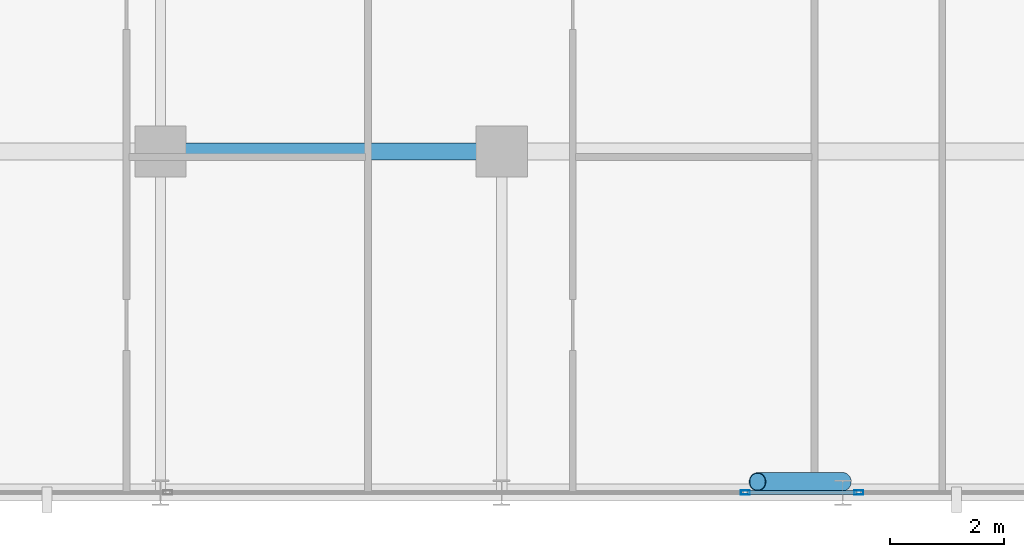
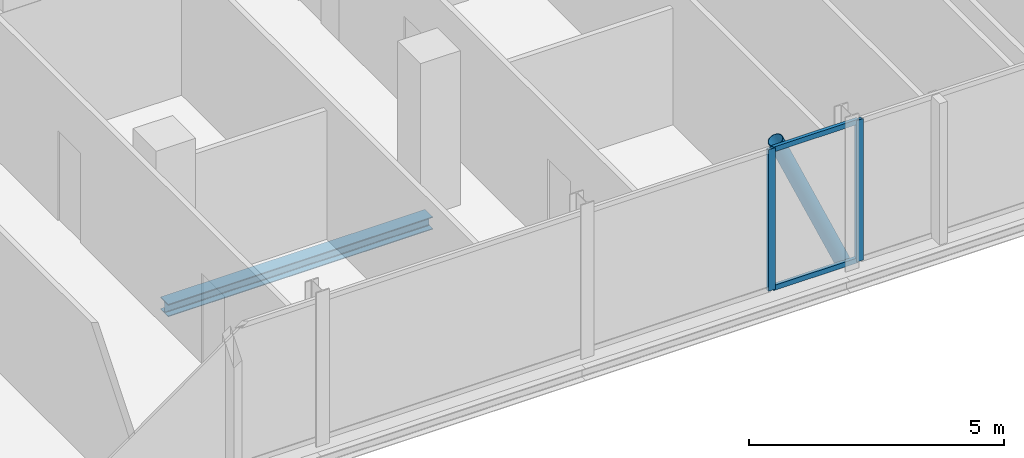
# One storey, part 10 of 29: 5 members, 1 beam, 2 elements without a shape of their own.
"""IFC4 building model written with IfcOpenShell, lengths in metres."""

from ifc_helpers import new_model, si_unit, direction, frame, origin, origin_2d, place, context, subcontext, project, spatial, hollow_rectangle, hollow_circle, i_section, extrude, material, layer, layer_set, material_profile, profile_set, type_object, element, aggregate, save


model = new_model("IFC4")

# Units and contexts
model_context = context("Model", 3, precision=1e-05, world=origin(), true_north=direction((0.0, 1.0)))
body_context = subcontext(model_context, "Body", "Model", "MODEL_VIEW")
ifc_project = project(units=[si_unit("LENGTHUNIT", "METRE"), si_unit("AREAUNIT", "SQUARE_METRE"), si_unit("VOLUMEUNIT", "CUBIC_METRE"), si_unit("PLANEANGLEUNIT", "RADIAN"), si_unit("MASSUNIT", "GRAM", prefix="KILO")], contexts=[model_context])

# Site, building, storey
site_placement = place(None, origin())
site = spatial("IfcSite", under=ifc_project, at=site_placement, CompositionType="ELEMENT")
building_placement = place(site_placement, origin())
building = spatial("IfcBuilding", under=site, at=building_placement, Name="Keshet Zoharim Tower", CompositionType="ELEMENT")
storey_placement = place(building_placement, frame((0.0, 0.0, 195.800048828125)))
storey = spatial("IfcBuildingStorey", under=building, at=storey_placement, Name="L48", CompositionType="ELEMENT", Elevation=195.800048828125)

# Beam
ifc_material_1 = material(Name="Steel S355", Category="steel")
ifc_material_profile_1 = material_profile(ifc_material_1, i_section(OverallWidth=0.300048828125, OverallDepth=0.300048828125, WebThickness=0.010986328125, FlangeThickness=0.01904296875, FilletRadius=0.027099609375, at=origin_2d()), Name="HEB300")
ifc_profile_set_1 = profile_set([ifc_material_profile_1], Name="Steel S355")
beam_type = type_object("IfcBeamType", Name="BM-PRI-HB300", PredefinedType="BEAM", material=ifc_profile_set_1)
beam_placement = place(storey_placement, frame((33.0, 6.699951171875, -0.4599609375), z_axis=(1.0, 0.0, 0.0), x_axis=(0.0, 1.0, 0.0)))
element("IfcBeam", 1, at=beam_placement, inside=storey, type_object=beam_type, Name="L48 Primary Girder X-007", PredefinedType="BEAM", context=body_context, shape_type="SweptSolid", body=[
    extrude(i_section(OverallWidth=0.300048828125, OverallDepth=0.300048828125, WebThickness=0.010986328125, FlangeThickness=0.01904296875, FilletRadius=0.027099609375, at=origin_2d()), origin(), (0.0, 0.0, 1.0), 6.0),
])

# Curtain wall, member
ifc_material_2 = material(Name="Aluminium 6063-T6", Category="aluminium")
ifc_layer = layer(ifc_material_2, 0.139892578125)
ifc_layer_set = layer_set([ifc_layer], Name="Aluminium 6063-T6")
curtain_wall_type = type_object("IfcCurtainWallType", Name="CW-SYS-05", PredefinedType="NOTDEFINED", material=ifc_layer_set)
curtain_wall_1_placement = place(storey_placement, origin())
curtain_wall_1 = element("IfcCurtainWall", 2, at=curtain_wall_1_placement, inside=storey, type_object=curtain_wall_type, Name="L48 Unitised Curtain Wall 06", PredefinedType="NOTDEFINED")
ifc_material_profile_2 = material_profile(ifc_material_2, hollow_rectangle(XDim=0.074951171875, YDim=0.159912109375, WallThickness=0.00390625, at=origin_2d()), Name="MUL-75x160")
ifc_profile_set_2 = profile_set([ifc_material_profile_2], Name="Aluminium 6063-T6")
member_type_1 = type_object("IfcMemberType", Name="CWM-M15", PredefinedType="MULLION", material=ifc_profile_set_2)
member_1_placement = place(storey_placement, frame((45.283203125, 0.699951171875, 0.0), z_axis=(0.0, 0.0, 1.0), x_axis=(0.0, -1.0, 0.0)))
member_1 = element("IfcMember", 3, at=member_1_placement, type_object=member_type_1, Name="CW-05 mullion 2", PredefinedType="MULLION", context=body_context, shape_type="SweptSolid", body=[
    extrude(hollow_rectangle(XDim=0.074951171875, YDim=0.159912109375, WallThickness=0.00390625, at=origin_2d()), origin(), (0.0, 0.0, 1.0), 3.389892578125),
])
aggregate(curtain_wall_1, [member_1])

# Curtain wall, members
curtain_wall_2_placement = place(storey_placement, origin())
curtain_wall_2 = element("IfcCurtainWall", 4, at=curtain_wall_2_placement, inside=storey, type_object=curtain_wall_type, Name="L48 Unitised Curtain Wall 06 Part 2", PredefinedType="NOTDEFINED")
member_2_placement = place(storey_placement, frame((43.286865234375, 0.699951171875, 0.0), z_axis=(0.0, 0.0, 1.0), x_axis=(0.0, -1.0, 0.0)))
member_2 = element("IfcMember", 5, at=member_2_placement, type_object=member_type_1, Name="CW-05 mullion 2", PredefinedType="MULLION", context=body_context, shape_type="SweptSolid", body=[
    extrude(hollow_rectangle(XDim=0.074951171875, YDim=0.159912109375, WallThickness=0.00390625, at=origin_2d()), origin(), (0.0, 0.0, 1.0), 3.389892578125),
])
ifc_material_profile_3 = material_profile(ifc_material_2, hollow_rectangle(XDim=0.074951171875, YDim=0.1201171875, WallThickness=0.00390625, at=origin_2d()), Name="TRN-75x120")
ifc_profile_set_3 = profile_set([ifc_material_profile_3], Name="Aluminium 6063-T6")
member_type_2 = type_object("IfcMemberType", Name="CWT-T12", PredefinedType="USERDEFINED", material=ifc_profile_set_3)
member_3_placement = place(storey_placement, frame((45.248046875, 0.699951171875, 0.034912109375), z_axis=(-1.0, 0.0, 0.0), x_axis=(0.0, -1.0, 0.0)))
member_3 = element("IfcMember", 6, at=member_3_placement, type_object=member_type_2, Name="CW-05 transom 1.1", ObjectType="TRANSOM", PredefinedType="USERDEFINED", context=body_context, shape_type="SweptSolid", body=[
    extrude(hollow_rectangle(XDim=0.074951171875, YDim=0.1201171875, WallThickness=0.00390625, at=origin_2d()), origin(), (0.0, 0.0, 1.0), 1.926025390625),
])
member_4_placement = place(storey_placement, frame((45.248046875, 0.699951171875, 3.35498046875), z_axis=(-1.0, 0.0, 0.0), x_axis=(0.0, -1.0, 0.0)))
member_4 = element("IfcMember", 7, at=member_4_placement, type_object=member_type_2, Name="CW-05 transom 1.2", ObjectType="TRANSOM", PredefinedType="USERDEFINED", context=body_context, shape_type="SweptSolid", body=[
    extrude(hollow_rectangle(XDim=0.074951171875, YDim=0.1201171875, WallThickness=0.00390625, at=origin_2d()), origin(), (0.0, 0.0, 1.0), 1.926025390625),
])
aggregate(curtain_wall_2, [member_2, member_3, member_4])

# Member
ifc_material_profile_4 = material_profile(ifc_material_1, hollow_circle(Radius=0.161865234375, WallThickness=0.012451171875, at=origin_2d()), Name="CHS323x12.5")
ifc_profile_set_4 = profile_set([ifc_material_profile_4], Name="Steel S355")
member_type_3 = type_object("IfcMemberType", Name="MB-BR-C323", PredefinedType="BRACE", material=ifc_profile_set_4)
member_5_placement = place(storey_placement, frame((45.0, 0.889892578125, 0.0), z_axis=(-0.40464689807, 0.0, 0.914473011019), x_axis=(0.0, -1.0, 0.0)))
element("IfcMember", 8, at=member_5_placement, inside=storey, type_object=member_type_3, Name="L48 Perimeter Tube Brace 03", PredefinedType="BRACE", context=body_context, shape_type="SweptSolid", body=[
    extrude(hollow_circle(Radius=0.161865234375, WallThickness=0.012451171875, at=origin_2d()), origin(), (0.0, 0.0, 1.0), 3.70703125),
])

save(model, "model.ifc")
